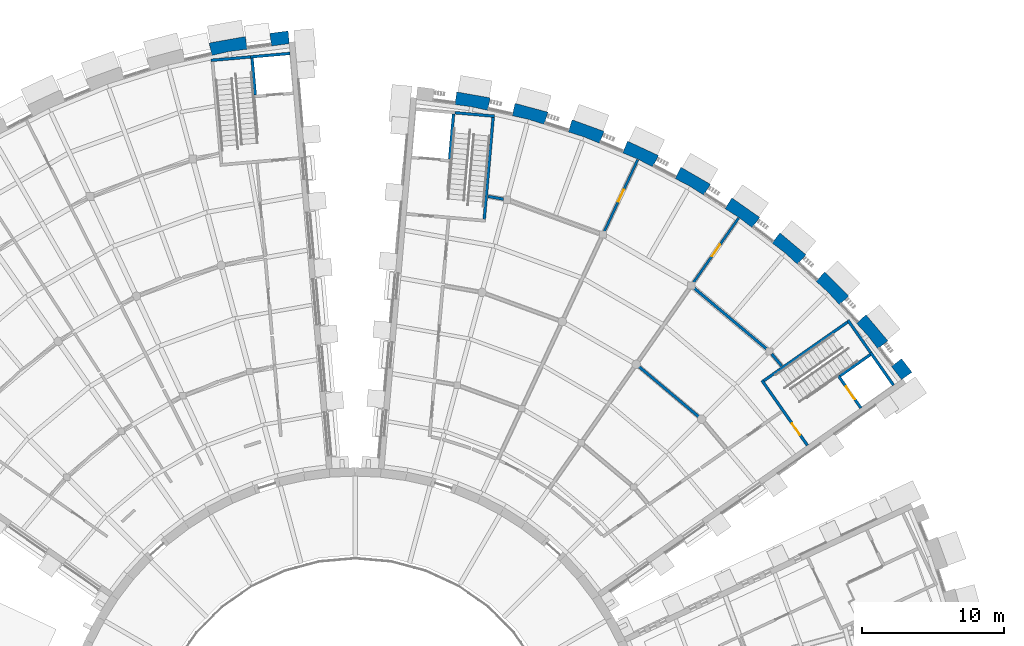
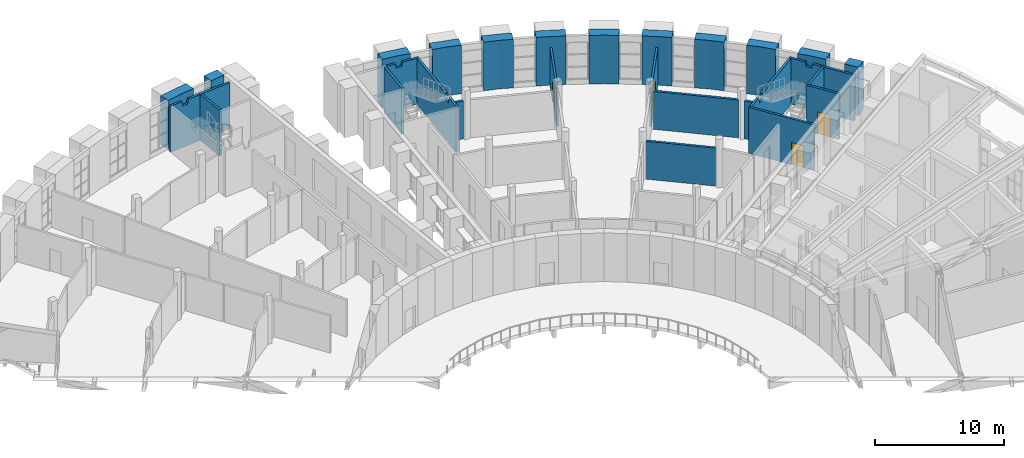
# One storey, part 33 of 50: 30 walls, 4 doors, 4 openings.
"""IFC4 building model written with IfcOpenShell, lengths in metres."""

from ifc_helpers import new_model, si_unit, direction, frame, frame_2d, origin, place, context, subcontext, project, spatial, polyline, rectangle, outline, extrude, material, layer, layer_set, type_object, element, fill, save


model = new_model("IFC4")

# Units and contexts
model_context = context("Model", 3, precision=1e-05, world=origin(), true_north=direction((0.0, 1.0)))
body_context = subcontext(model_context, "Body", "Model", "MODEL_VIEW")
ifc_project = project(units=[si_unit("LENGTHUNIT", "METRE"), si_unit("AREAUNIT", "SQUARE_METRE"), si_unit("VOLUMEUNIT", "CUBIC_METRE"), si_unit("PLANEANGLEUNIT", "RADIAN"), si_unit("MASSUNIT", "GRAM", prefix="KILO")], contexts=[model_context])

# Site, building, storey
site_placement = place(None, origin())
site = spatial("IfcSite", under=ifc_project, at=site_placement, CompositionType="ELEMENT")
building_placement = place(site_placement, origin())
building = spatial("IfcBuilding", under=site, at=building_placement, Name="Volute Hill Aquarium", CompositionType="ELEMENT")
storey_placement = place(building_placement, frame((0.0, 0.0, 9.199951171875)))
storey = spatial("IfcBuildingStorey", under=building, at=storey_placement, Name="L03", CompositionType="ELEMENT", Elevation=9.199951171875)

# Wall, opening, door
ifc_material_1 = material(Name="Concrete C30/37", Category="concrete")
ifc_layer_1 = layer(ifc_material_1, 0.199951171875)
ifc_layer_set_1 = layer_set([ifc_layer_1], Name="Core wall 200 REI 60")
wall_type_1 = type_object("IfcWallType", Name="Core wall 200 REI 60", PredefinedType="SHEAR", material=ifc_layer_set_1)
wall_1_placement = place(storey_placement, frame((31.873291015625, 22.56201171875, 0.0), z_axis=(0.0, 0.0, 1.0), x_axis=(-0.573599855614, 0.819135645446, 0.0)))
wall_1 = element("IfcWall", 1, at=wall_1_placement, inside=storey, type_object=wall_type_1, Name="wc/S5-A/L03/in", PredefinedType="SHEAR", context=body_context, shape_type="SweptSolid", body=[
    extrude(rectangle(XDim=5.60009765625, YDim=0.199951171875, at=frame_2d((2.800048828125, 0.0))), origin(), (0.0, 0.0, 1.0), 4.35009765625),
])
opening_1_placement = place(wall_1_placement, frame((0.89990234375, 0.0, 0.0)))
opening_1 = element("IfcOpeningElement", 2, at=opening_1_placement, cuts=wall_1, Name="Opening D5.03.AS", PredefinedType="OPENING", context=body_context, shape_type="SweptSolid", body=[
    extrude(rectangle(XDim=1.0, YDim=2.10009765625, at=frame_2d((0.5, 1.050048828125))), frame((0.0, 0.10986328125, 0.0), z_axis=(0.0, -1.0, 0.0), x_axis=(1.0, 0.0, 0.0)), (0.0, 0.0, 1.0), 0.219970703125),
])
ifc_material_2 = material(Name="Timber, fire-rated", Category="wood")
door_type_1 = type_object("IfcDoorType", Name="Door 1000 x 2100 single EI1 30", OperationType="SINGLE_SWING_LEFT", PredefinedType="DOOR", material=ifc_material_2)
door_1_placement = place(opening_1_placement, origin())
door_1 = element("IfcDoor", 3, at=door_1_placement, inside=storey, type_object=door_type_1, Name="d/S5-A/L03/st", OperationType="SINGLE_SWING_RIGHT", OverallHeight=2.10009765625, OverallWidth=1.0, PredefinedType="DOOR", context=body_context, shape_type="SweptSolid", body=[
    extrude(rectangle(XDim=1.0, YDim=2.10009765625, at=frame_2d((0.5, 1.050048828125))), frame((0.0, 0.02490234375, 0.0), z_axis=(0.0, -1.0, 0.0), x_axis=(1.0, 0.0, 0.0)), (0.0, 0.0, 1.0), 0.050048828125),
])
fill(opening_1, door_1)

# Walls
wall_2_placement = place(storey_placement, frame((28.80029296875, 27.124755859375, 0.0), z_axis=(0.0, 0.0, 1.0), x_axis=(0.819161821637, 0.573562472597, 0.0)))
element("IfcWall", 4, at=wall_2_placement, inside=storey, type_object=wall_type_1, Name="wc/S5-A/L03/side", PredefinedType="SHEAR", context=body_context, shape_type="SweptSolid", body=[
    extrude(outline(polyline([(0.0, 0.0), (7.199951171875, 0.0), (7.199951171875, 4.35009765625), (1.93017578125, 4.35009765625), (1.880126953125, 3.760009765625), (1.380126953125, 3.760009765625), (1.330078125, 4.35009765625), (0.0, 4.35009765625), (0.0, 0.0)])), frame((0.0, 0.10009765625, 0.0), z_axis=(0.0, -1.0, 0.0), x_axis=(1.0, 0.0, 0.0)), (0.0, 0.0, 1.0), 0.199951171875),
])
wall_3_placement = place(storey_placement, frame((36.328857421875, 29.10009765625, 0.0), z_axis=(0.0, 0.0, 1.0), x_axis=(-0.573550118428, 0.819170471667, 0.0)))
element("IfcWall", 5, at=wall_3_placement, inside=storey, type_object=wall_type_1, Name="wc/S5-A/L03/out-b", PredefinedType="SHEAR", context=body_context, shape_type="SweptSolid", body=[
    extrude(outline(polyline([(0.0, 0.0), (2.800048828125, 0.0), (2.800048828125, 4.35009765625), (1.37255859375, 4.35009765625), (1.322509765625, 3.9599609375), (0.822509765625, 3.9599609375), (0.7724609375, 4.35009765625), (0.0, 4.35009765625), (0.0, 0.0)])), frame((0.0, 0.10009765625, 0.0), z_axis=(0.0, -1.0, 0.0), x_axis=(1.0, 0.0, 0.0)), (0.0, 0.0, 1.0), 0.199951171875),
])
wall_4_placement = place(storey_placement, frame((9.090576171875, 38.504150390625, 0.0), z_axis=(0.0, 0.0, 1.0), x_axis=(0.087144656612, 0.996195667941, 0.0)))
element("IfcWall", 6, at=wall_4_placement, inside=storey, type_object=wall_type_1, Name="wc/S5-B/L03/side", PredefinedType="SHEAR", context=body_context, shape_type="SweptSolid", body=[
    extrude(outline(polyline([(0.0, 0.0), (7.199951171875, 0.0), (7.199951171875, 4.35009765625), (1.93017578125, 4.35009765625), (1.880126953125, 3.760009765625), (1.380126953125, 3.760009765625), (1.330078125, 4.35009765625), (0.0, 4.35009765625), (0.0, 0.0)])), frame((0.0, 0.10009765625, 0.0), z_axis=(0.0, -1.0, 0.0), x_axis=(1.0, 0.0, 0.0)), (0.0, 0.0, 1.0), 0.199951171875),
])
wall_5_placement = place(storey_placement, frame((7.037109375, 46.01171875, 0.0), z_axis=(0.0, 0.0, 1.0), x_axis=(0.996191351034, -0.087193991338, 0.0)))
element("IfcWall", 7, at=wall_5_placement, inside=storey, type_object=wall_type_1, Name="wc/S5-B/L03/out-b", PredefinedType="SHEAR", context=body_context, shape_type="SweptSolid", body=[
    extrude(outline(polyline([(0.0, 0.0), (2.800048828125, 0.0), (2.800048828125, 4.35009765625), (1.37255859375, 4.35009765625), (1.322509765625, 3.9599609375), (0.822509765625, 3.9599609375), (0.772705078125, 4.35009765625), (0.0, 4.35009765625), (0.0, 0.0)])), frame((0.0, 0.10009765625, 0.0), z_axis=(0.0, -1.0, 0.0), x_axis=(1.0, 0.0, 0.0)), (0.0, 0.0, 1.0), 0.199951171875),
])
wall_6_placement = place(storey_placement, frame((-7.381103515625, 49.94677734375, 0.0), z_axis=(0.0, 0.0, 1.0), x_axis=(-0.996192013865, -0.087186418157, 0.0)))
element("IfcWall", 8, at=wall_6_placement, inside=storey, type_object=wall_type_1, Name="wc/S6-A/L03/out-b", PredefinedType="SHEAR", context=body_context, shape_type="SweptSolid", body=[
    extrude(outline(polyline([(0.0, 0.0), (2.80029296875, 0.0), (2.800048828125, 4.35009765625), (1.71826171875, 4.35009765625), (1.668212890625, 3.929931640625), (1.168212890625, 3.929931640625), (1.1181640625, 4.35009765625), (0.0, 4.35009765625), (0.0, 0.0)])), frame((0.0, 0.10009765625, 0.0), z_axis=(0.0, -1.0, 0.0), x_axis=(1.0, 0.0, 0.0)), (0.0, 0.0, 1.0), 0.199951171875),
])

# Wall, opening, door
ifc_material_3 = material(Name="Gypsum board on steel studs", Category="steel")
ifc_layer_2 = layer(ifc_material_3, 0.175048828125)
ifc_layer_set_2 = layer_set([ifc_layer_2], Name="Corridor partition 175 EI 60")
wall_type_2 = type_object("IfcWallType", Name="Corridor partition 175 EI 60", PredefinedType="PARTITIONING", material=ifc_layer_set_2)
wall_7_placement = place(storey_placement, frame((19.913818359375, 42.705078125, 0.0), z_axis=(0.0, 0.0, 1.0), x_axis=(-0.422617785161, -0.906308009269, 0.0)))
wall_7 = element("IfcWall", 9, at=wall_7_placement, inside=storey, type_object=wall_type_2, Name="pw/S5/L03/007", PredefinedType="PARTITIONING", context=body_context, shape_type="SweptSolid", body=[
    extrude(rectangle(XDim=5.592529296875, YDim=0.175048828125, at=frame_2d((2.79638671875, 0.0))), origin(), (0.0, 0.0, 1.0), 3.590087890625),
])
opening_2_placement = place(wall_7_placement, frame((2.346435546875, 0.0, 0.0)))
opening_2 = element("IfcOpeningElement", 10, at=opening_2_placement, cuts=wall_7, Name="Opening D5.03.09", PredefinedType="OPENING", context=body_context, shape_type="SweptSolid", body=[
    extrude(rectangle(XDim=0.89990234375, YDim=2.10009765625, at=frame_2d((0.449951171875, 1.050048828125))), frame((0.0, 0.097412109375, 0.0), z_axis=(0.0, -1.0, 0.0), x_axis=(1.0, 0.0, 0.0)), (0.0, 0.0, 1.0), 0.195068359375),
])
ifc_material_4 = material(Name="Timber, fire-rated", Category="wood")
door_type_2 = type_object("IfcDoorType", Name="Door 900 x 2100 wc single EI1 30", OperationType="SINGLE_SWING_LEFT", PredefinedType="DOOR", material=ifc_material_4)
door_2_placement = place(opening_2_placement, origin())
door_2 = element("IfcDoor", 11, at=door_2_placement, inside=storey, type_object=door_type_2, Name="d/S5/L03/09", OperationType="SINGLE_SWING_LEFT", OverallHeight=2.10009765625, OverallWidth=0.89990234375, PredefinedType="DOOR", context=body_context, shape_type="SweptSolid", body=[
    extrude(rectangle(XDim=0.89990234375, YDim=2.10009765625, at=frame_2d((0.449951171875, 1.050048828125))), frame((0.0, 0.02490234375, 0.0), z_axis=(0.0, -1.0, 0.0), x_axis=(1.0, 0.0, 0.0)), (0.0, 0.0, 1.0), 0.050048828125),
])
fill(opening_2, door_2)

wall_8_placement = place(storey_placement, frame((23.819091796875, 34.01708984375, 0.0), z_axis=(0.0, 0.0, 1.0), x_axis=(0.573564881926, 0.819160134663, 0.0)))
wall_8 = element("IfcWall", 12, at=wall_8_placement, inside=storey, type_object=wall_type_2, Name="pw/S5/L03/008", PredefinedType="PARTITIONING", context=body_context, shape_type="SweptSolid", body=[
    extrude(rectangle(XDim=5.5927734375, YDim=0.175048828125, at=frame_2d((2.79638671875, 0.0))), origin(), (0.0, 0.0, 1.0), 3.590087890625),
])
opening_3_placement = place(wall_8_placement, frame((2.29638671875, 0.0, 0.0)))
opening_3 = element("IfcOpeningElement", 13, at=opening_3_placement, cuts=wall_8, Name="Opening D5.03.08", PredefinedType="OPENING", context=body_context, shape_type="SweptSolid", body=[
    extrude(rectangle(XDim=1.0, YDim=2.10009765625, at=frame_2d((0.5, 1.050048828125))), frame((0.0, 0.097412109375, 0.0), z_axis=(0.0, -1.0, 0.0), x_axis=(1.0, 0.0, 0.0)), (0.0, 0.0, 1.0), 0.195068359375),
])
door_3_placement = place(opening_3_placement, origin())
door_3 = element("IfcDoor", 14, at=door_3_placement, inside=storey, type_object=door_type_1, Name="d/S5/L03/08", OperationType="SINGLE_SWING_RIGHT", OverallHeight=2.10009765625, OverallWidth=1.0, PredefinedType="DOOR", context=body_context, shape_type="SweptSolid", body=[
    extrude(rectangle(XDim=1.0, YDim=2.10009765625, at=frame_2d((0.5, 1.050048828125))), frame((0.0, 0.02490234375, 0.0), z_axis=(0.0, -1.0, 0.0), x_axis=(1.0, 0.0, 0.0)), (0.0, 0.0, 1.0), 0.050048828125),
])
fill(opening_3, door_3)

# Walls
ifc_material_5 = material(Name="Masonry blockwork", Category="masonry")
ifc_layer_3 = layer(ifc_material_5, 0.199951171875)
ifc_layer_set_3 = layer_set([ifc_layer_3], Name="Fire partition 200 EI 60")
wall_type_3 = type_object("IfcWallType", Name="Fire partition 200 EI 60", PredefinedType="PARTITIONING", material=ifc_layer_set_3)
wall_9_placement = place(storey_placement, frame((23.865234375, 33.66650390625, 0.0), z_axis=(0.0, 0.0, 1.0), x_axis=(0.766057023057, -0.642772617202, 0.0)))
element("IfcWall", 15, at=wall_9_placement, inside=storey, type_object=wall_type_3, Name="pw/S5/L03/003", PredefinedType="PARTITIONING", context=body_context, shape_type="SweptSolid", body=[
    extrude(rectangle(XDim=6.71728515625, YDim=0.199951171875, at=frame_2d((3.358642578125, 0.0))), origin(), (0.0, 0.0, 1.0), 3.590087890625),
])
wall_10_placement = place(storey_placement, frame((19.986572265625, 28.126953125, 0.0), z_axis=(0.0, 0.0, 1.0), x_axis=(0.766045187475, -0.642786722597, 0.0)))
element("IfcWall", 16, at=wall_10_placement, inside=storey, type_object=wall_type_3, Name="pw/S5/L03/010", PredefinedType="PARTITIONING", context=body_context, shape_type="SweptSolid", body=[
    extrude(rectangle(XDim=5.5380859375, YDim=0.199951171875, at=frame_2d((2.76904296875, 0.0))), origin(), (0.0, 0.0, 1.0), 3.590087890625),
])
for number, where, z_axis, x_axis, name in (
    (17, (9.36181640625, 40.1142578125, 0.0), (0.0, 0.0, 1.0), (0.984796905189, -0.173709687495, 0.0), "pw/S5/L03/033"),
    (18, (29.348876953125, 29.010986328125, 0.0), (0.0, 0.0, 1.0), (0.642875879514, -0.765970367272, 0.0), "pw/S5/L03/034"),
):
    element("IfcWall", number, at=place(storey_placement, frame(where, z_axis=z_axis, x_axis=x_axis)), inside=storey, type_object=wall_type_3, Name=name, PredefinedType="PARTITIONING", context=body_context, shape_type="SweptSolid", body=[
        extrude(rectangle(XDim=1.104736328125, YDim=0.199951171875, at=frame_2d((0.55224609375, 0.0))), origin(), (0.0, 0.0, 1.0), 3.590087890625),
    ])
ifc_material_6 = material(Name="Precast concrete C40/50", Category="concrete")
ifc_layer_4 = layer(ifc_material_6, 0.89990234375)
ifc_layer_set_4 = layer_set([ifc_layer_4], Name="Outer pier precast concrete C40/50 900")
wall_type_4 = type_object("IfcWallType", Name="Outer pier precast concrete C40/50 900", PredefinedType="NOTDEFINED", material=ifc_layer_set_4)
wall_11_placement = place(storey_placement, origin())
element("IfcWall", 19, at=wall_11_placement, inside=storey, type_object=wall_type_4, Name="Outer pier OWP S5 L03 1", PredefinedType="NOTDEFINED", context=body_context, shape_type="SweptSolid", body=[
    extrude(outline(polyline([(38.500732421875, 27.20263671875), (39.23876953125, 27.719482421875), (38.50634765625, 28.673828125), (37.792236328125, 28.1259765625), (38.500732421875, 27.20263671875)])), origin(), (0.0, 0.0, 1.0), 4.60009765625),
])
wall_12_placement = place(storey_placement, origin())
element("IfcWall", 20, at=wall_12_placement, inside=storey, type_object=wall_type_4, Name="Outer pier OWP S5 L03 2", PredefinedType="NOTDEFINED", context=body_context, shape_type="SweptSolid", body=[
    extrude(outline(polyline([(36.8271484375, 29.3837890625), (37.541259765625, 29.931640625), (35.995849609375, 31.773193359375), (35.332275390625, 31.165283203125), (36.11865234375, 30.30712890625), (36.8271484375, 29.3837890625)])), origin(), (0.0, 0.0, 1.0), 4.60009765625),
])
wall_13_placement = place(storey_placement, origin())
element("IfcWall", 21, at=wall_13_placement, inside=storey, type_object=wall_type_4, Name="Outer pier OWP S5 L03 3", PredefinedType="NOTDEFINED", context=body_context, shape_type="SweptSolid", body=[
    extrude(outline(polyline([(34.1259765625, 32.481689453125), (34.78955078125, 33.08984375), (33.08984375, 34.78955078125), (32.481689453125, 34.1259765625), (33.33984375, 33.33984375), (34.1259765625, 32.481689453125)])), origin(), (0.0, 0.0, 1.0), 4.60009765625),
])
wall_14_placement = place(storey_placement, origin())
element("IfcWall", 22, at=wall_14_placement, inside=storey, type_object=wall_type_4, Name="Outer pier OWP S5 L03 4", PredefinedType="NOTDEFINED", context=body_context, shape_type="SweptSolid", body=[
    extrude(outline(polyline([(31.165283203125, 35.33251953125), (31.773193359375, 35.99609375), (29.931640625, 37.541259765625), (29.3837890625, 36.8271484375), (30.30712890625, 36.11865234375), (31.165283203125, 35.33251953125)])), origin(), (0.0, 0.0, 1.0), 4.60009765625),
])
wall_15_placement = place(storey_placement, origin())
element("IfcWall", 23, at=wall_15_placement, inside=storey, type_object=wall_type_4, Name="Outer pier OWP S5 L03 5", PredefinedType="NOTDEFINED", context=body_context, shape_type="SweptSolid", body=[
    extrude(outline(polyline([(27.96728515625, 37.9140625), (28.51513671875, 38.628173828125), (26.5458984375, 40.007080078125), (26.062255859375, 39.248046875), (27.0439453125, 38.622802734375), (27.96728515625, 37.9140625)])), origin(), (0.0, 0.0, 1.0), 4.60009765625),
])
wall_16_placement = place(storey_placement, origin())
element("IfcWall", 24, at=wall_16_placement, inside=storey, type_object=wall_type_4, Name="Outer pier OWP S5 L03 6", PredefinedType="NOTDEFINED", context=body_context, shape_type="SweptSolid", body=[
    extrude(outline(polyline([(24.556396484375, 40.20751953125), (25.039794921875, 40.966552734375), (22.9580078125, 42.16845703125), (22.54248046875, 41.3701171875), (23.57470703125, 40.832763671875), (24.556396484375, 40.20751953125)])), origin(), (0.0, 0.0, 1.0), 4.60009765625),
])
wall_17_placement = place(storey_placement, origin())
element("IfcWall", 25, at=wall_17_placement, inside=storey, type_object=wall_type_4, Name="Outer pier OWP S5 L03 7", PredefinedType="NOTDEFINED", context=body_context, shape_type="SweptSolid", body=[
    extrude(outline(polyline([(20.95849609375, 42.194580078125), (21.374267578125, 42.992919921875), (19.1953125, 44.009033203125), (18.85107421875, 43.177490234375), (19.92626953125, 42.73193359375), (20.95849609375, 42.194580078125)])), origin(), (0.0, 0.0, 1.0), 4.60009765625),
])
wall_18_placement = place(storey_placement, origin())
element("IfcWall", 26, at=wall_18_placement, inside=storey, type_object=wall_type_4, Name="Outer pier OWP S5 L03 8", PredefinedType="NOTDEFINED", context=body_context, shape_type="SweptSolid", body=[
    extrude(outline(polyline([(17.201416015625, 43.86083984375), (17.545654296875, 44.6923828125), (15.286865234375, 45.514404296875), (15.01611328125, 44.656005859375), (16.126220703125, 44.30615234375), (17.201416015625, 43.86083984375)])), origin(), (0.0, 0.0, 1.0), 4.60009765625),
])
wall_19_placement = place(storey_placement, origin())
element("IfcWall", 27, at=wall_19_placement, inside=storey, type_object=wall_type_4, Name="Outer pier OWP S5 L03 9", PredefinedType="NOTDEFINED", context=body_context, shape_type="SweptSolid", body=[
    extrude(outline(polyline([(13.313232421875, 45.193115234375), (13.583740234375, 46.05126953125), (11.26171875, 46.673583984375), (11.06689453125, 45.794921875), (12.203125, 45.54296875), (13.313232421875, 45.193115234375)])), origin(), (0.0, 0.0, 1.0), 4.60009765625),
])
wall_20_placement = place(storey_placement, origin())
element("IfcWall", 28, at=wall_20_placement, inside=storey, type_object=wall_type_4, Name="Outer pier OWP S5 L03 10", PredefinedType="NOTDEFINED", context=body_context, shape_type="SweptSolid", body=[
    extrude(outline(polyline([(9.32373046875, 46.181396484375), (9.5185546875, 47.06005859375), (7.151123046875, 47.4775390625), (7.03369140625, 46.585205078125), (8.1875, 46.433349609375), (9.32373046875, 46.181396484375)])), origin(), (0.0, 0.0, 1.0), 4.60009765625),
])
wall_21_placement = place(storey_placement, origin())
element("IfcWall", 29, at=wall_21_placement, inside=storey, type_object=wall_type_4, Name="Outer pier OWP S6 L03 1", PredefinedType="NOTDEFINED", context=body_context, shape_type="SweptSolid", body=[
    extrude(outline(polyline([(-4.652099609375, 50.87890625), (-4.730712890625, 51.7763671875), (-6.020751953125, 51.6064453125), (-5.9033203125, 50.714111328125), (-4.652099609375, 50.87890625)])), origin(), (0.0, 0.0, 1.0), 4.60009765625),
])
wall_22_placement = place(storey_placement, origin())
element("IfcWall", 30, at=wall_22_placement, inside=storey, type_object=wall_type_4, Name="Outer pier OWP S6 L03 2", PredefinedType="NOTDEFINED", context=body_context, shape_type="SweptSolid", body=[
    extrude(outline(polyline([(-7.6220703125, 50.488037109375), (-7.739501953125, 51.380126953125), (-10.30029296875, 50.9287109375), (-10.10546875, 50.050048828125), (-8.873291015625, 50.3232421875), (-7.6220703125, 50.488037109375)])), origin(), (0.0, 0.0, 1.0), 4.60009765625),
])
ifc_material_7 = material(Name="Concrete C30/37", Category="concrete")
ifc_layer_5 = layer(ifc_material_7, 0.199951171875)
ifc_layer_set_5 = layer_set([ifc_layer_5], Name="Shaft wall 200 EI 60")
wall_type_5 = type_object("IfcWallType", Name="Shaft wall 200 EI 60", PredefinedType="SOLIDWALL", material=ifc_layer_set_5)
wall_23_placement = place(storey_placement, frame((37.934814453125, 26.806396484375, 0.0), z_axis=(0.0, 0.0, 1.0), x_axis=(-0.573550118428, 0.819170471667, 0.0)))
element("IfcWall", 31, at=wall_23_placement, inside=storey, type_object=wall_type_5, Name="wc/S5-A/L03/out-a", PredefinedType="SOLIDWALL", context=body_context, shape_type="SweptSolid", body=[
    extrude(rectangle(XDim=2.800048828125, YDim=0.199951171875, at=frame_2d((1.39990234375, 0.0))), origin(), (0.0, 0.0, 1.0), 4.35009765625),
])

# Wall, opening, door
wall_24_placement = place(storey_placement, frame((35.641357421875, 25.200439453125, 0.0), z_axis=(0.0, 0.0, 1.0), x_axis=(-0.573550118428, 0.819170471667, 0.0)))
wall_24 = element("IfcWall", 32, at=wall_24_placement, inside=storey, type_object=wall_type_5, Name="wc/S5-A/L03/front", PredefinedType="SOLIDWALL", context=body_context, shape_type="SweptSolid", body=[
    extrude(rectangle(XDim=2.800048828125, YDim=0.199951171875, at=frame_2d((1.39990234375, 0.0))), origin(), (0.0, 0.0, 1.0), 4.35009765625),
])
opening_4_placement = place(wall_24_placement, frame((0.75, 0.0, 0.0)))
opening_4 = element("IfcOpeningElement", 33, at=opening_4_placement, cuts=wall_24, Name="Opening LD5.03.A", PredefinedType="OPENING", context=body_context, shape_type="SweptSolid", body=[
    extrude(rectangle(XDim=1.10009765625, YDim=2.10009765625, at=frame_2d((0.550048828125, 1.050048828125))), frame((0.0, 0.10986328125, 0.0), z_axis=(0.0, -1.0, 0.0), x_axis=(1.0, 0.0, 0.0)), (0.0, 0.0, 1.0), 0.219970703125),
])
ifc_material_8 = material(Name="Stainless steel", Category="steel")
door_type_3 = type_object("IfcDoorType", Name="Lift landing door 1100 x 2100", OperationType="SLIDING_TO_LEFT", PredefinedType="DOOR", material=ifc_material_8)
door_4_placement = place(opening_4_placement, origin())
door_4 = element("IfcDoor", 34, at=door_4_placement, inside=storey, type_object=door_type_3, Name="d/S5-A/L03/ld", OperationType="SLIDING_TO_LEFT", OverallHeight=2.10009765625, OverallWidth=1.10009765625, PredefinedType="DOOR", context=body_context, shape_type="SweptSolid", body=[
    extrude(rectangle(XDim=1.10009765625, YDim=2.10009765625, at=frame_2d((0.550048828125, 1.050048828125))), frame((0.0, 0.02490234375, 0.0), z_axis=(0.0, -1.0, 0.0), x_axis=(1.0, 0.0, 0.0)), (0.0, 0.0, 1.0), 0.050048828125),
])
fill(opening_4, door_4)

# Walls
wall_25_placement = place(storey_placement, frame((34.174560546875, 27.469482421875, 0.0), z_axis=(0.0, 0.0, 1.0), x_axis=(0.819148089014, 0.573582085028, 0.0)))
element("IfcWall", 35, at=wall_25_placement, inside=storey, type_object=wall_type_5, Name="wc/S5-A/L03/shaft-side", PredefinedType="SOLIDWALL", context=body_context, shape_type="SweptSolid", body=[
    extrude(rectangle(XDim=2.599853515625, YDim=0.199951171875, at=frame_2d((1.2998046875, 0.0))), origin(), (0.0, 0.0, 1.0), 4.35009765625),
])
wall_26_placement = place(storey_placement, frame((6.649658203125, 42.73291015625, 0.0), z_axis=(0.0, 0.0, 1.0), x_axis=(0.087199127005, 0.996190901509, 0.0)))
element("IfcWall", 36, at=wall_26_placement, inside=storey, type_object=wall_type_5, Name="wc/S5-B/L03/shaft-side", PredefinedType="SOLIDWALL", context=body_context, shape_type="SweptSolid", body=[
    extrude(rectangle(XDim=3.2001953125, YDim=0.199951171875, at=frame_2d((1.60009765625, 0.0))), origin(), (0.0, 0.0, 1.0), 4.35009765625),
])
wall_27_placement = place(storey_placement, frame((-4.591796875, 50.19091796875, 0.0), z_axis=(0.0, 0.0, 1.0), x_axis=(-0.996191351034, -0.087193991338, 0.0)))
element("IfcWall", 37, at=wall_27_placement, inside=storey, type_object=wall_type_5, Name="wc/S6-A/L03/out-a", PredefinedType="SOLIDWALL", context=body_context, shape_type="SweptSolid", body=[
    extrude(rectangle(XDim=2.800048828125, YDim=0.199951171875, at=frame_2d((1.39990234375, 0.0))), origin(), (0.0, 0.0, 1.0), 4.35009765625),
])
wall_28_placement = place(storey_placement, frame((-7.04638671875, 47.265625, 0.0), z_axis=(0.0, 0.0, 1.0), x_axis=(-0.087140158824, 0.996196061386, 0.0)))
element("IfcWall", 38, at=wall_28_placement, inside=storey, type_object=wall_type_5, Name="wc/S6-A/L03/shaft-side", PredefinedType="SOLIDWALL", context=body_context, shape_type="SweptSolid", body=[
    extrude(rectangle(XDim=2.60009765625, YDim=0.199951171875, at=frame_2d((1.300048828125, 0.0))), origin(), (0.0, 0.0, 1.0), 4.35009765625),
])

save(model, "model.ifc")
